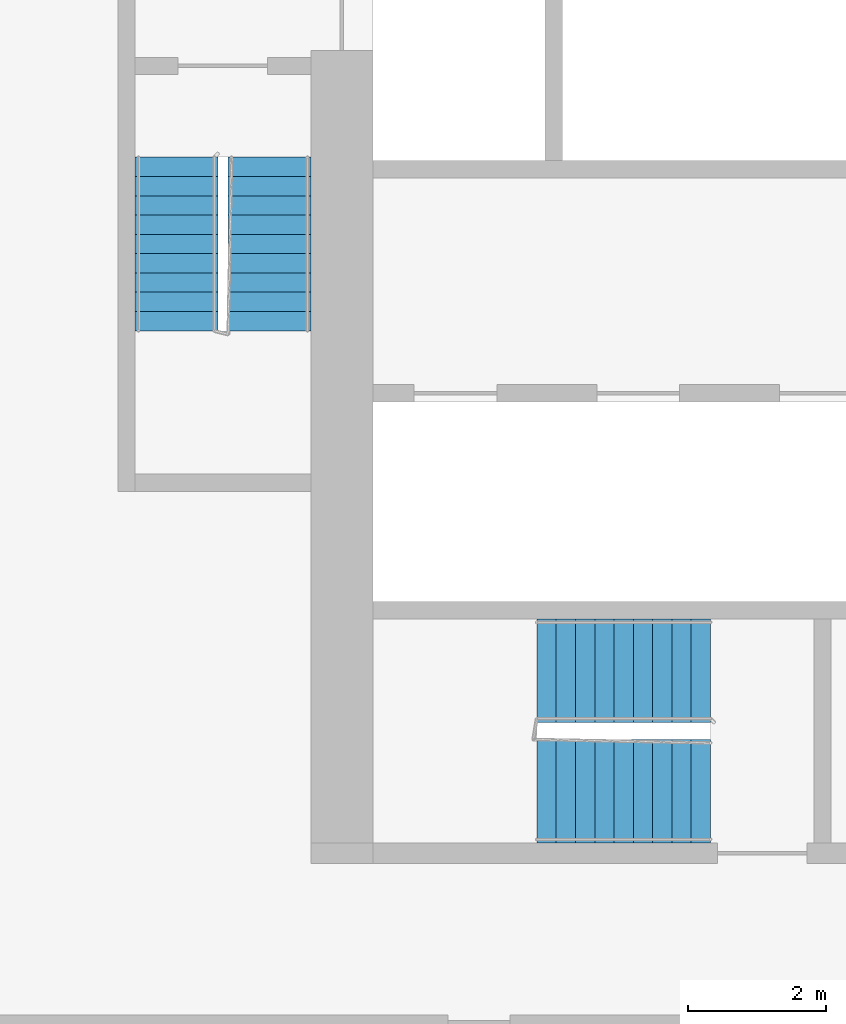
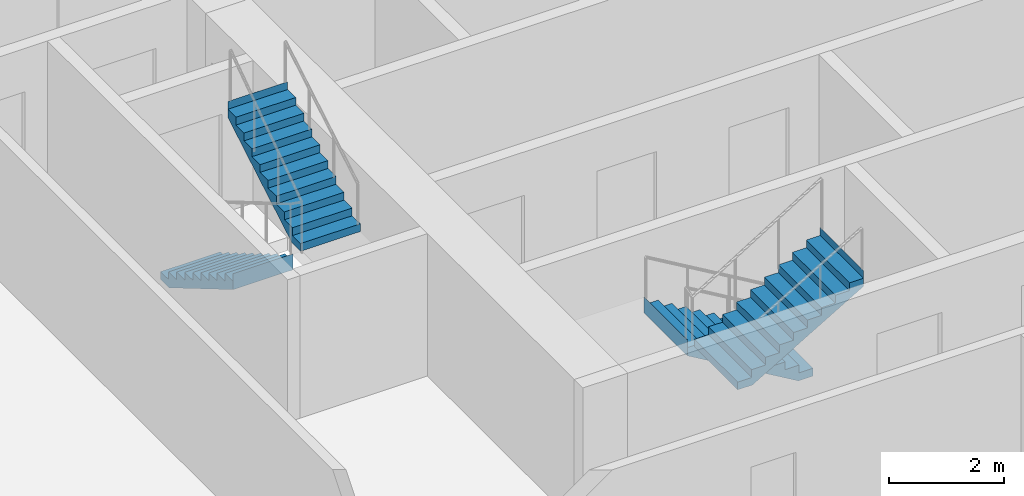
# One storey, part 9 of 13: 4 stair flights, 2 elements without a shape of their own.
"""IFC4 building model written with IfcOpenShell, lengths in metres."""

from ifc_helpers import new_model, si_unit, direction, frame, origin, place, context, subcontext, project, spatial, faceted_brep, material, type_object, element, aggregate, save


model = new_model("IFC4")

# Units and contexts
model_context = context("Model", 3, precision=1e-05, world=origin(), true_north=direction((0.0, 1.0)))
body_context = subcontext(model_context, "Body", "Model", "MODEL_VIEW")
ifc_project = project(units=[si_unit("LENGTHUNIT", "METRE"), si_unit("AREAUNIT", "SQUARE_METRE"), si_unit("VOLUMEUNIT", "CUBIC_METRE"), si_unit("PLANEANGLEUNIT", "RADIAN"), si_unit("MASSUNIT", "GRAM", prefix="KILO")], contexts=[model_context])

# Site, building, storey
site_placement = place(None, origin())
site = spatial("IfcSite", under=ifc_project, at=site_placement, CompositionType="ELEMENT")
building_placement = place(site_placement, origin())
building = spatial("IfcBuilding", under=site, at=building_placement, Name="Kajstack Hotel Tower", CompositionType="ELEMENT")
storey_placement = place(building_placement, frame((0.0, 0.0, 60.0)))
storey = spatial("IfcBuildingStorey", under=building, at=storey_placement, Name="L09", CompositionType="ELEMENT", Elevation=60.0)

# Stair, stair flights
ifc_material = material(Name="Concrete C40/50", Category="concrete")
stair_type_1 = type_object("IfcStairType", Name="Exit stair 1200", PredefinedType="HALF_TURN_STAIR", material=ifc_material)
stair_1_placement = place(storey_placement, origin())
stair_1 = element("IfcStair", 1, at=stair_1_placement, inside=storey, type_object=stair_type_1, Name="L09 stair W1", PredefinedType="HALF_TURN_STAIR")
stair_flight_type_1 = type_object("IfcStairFlightType", Name="Exit stair flight 1200", PredefinedType="STRAIGHT", material=ifc_material)
stair_flight_1_placement = place(storey_placement, frame((-33.449951171875, -5.25, 0.0), z_axis=(0.0, 0.0, 1.0), x_axis=(0.0, -1.0, 0.0)))
stair_flight_1 = element("IfcStairFlight", 2, at=stair_flight_1_placement, type_object=stair_flight_type_1, Name="W1 flight 1", NumberOfRisers=10, NumberOfTreads=9, PredefinedType="STRAIGHT", RiserHeight=0.165, TreadLength=0.28, context=body_context, shape_type="Brep", body=[
    faceted_brep([(0.295654296875, -0.60009765625, 0.0), (2.5205078125, -0.60009765625, 1.31103515625), (2.5205078125, -0.60009765625, 1.64990234375), (2.52001953125, -0.60009765625, 1.64990234375), (2.52001953125, -0.60009765625, 1.485107421875), (2.239990234375, -0.60009765625, 1.485107421875), (2.239990234375, -0.60009765625, 1.320068359375), (1.9599609375, -0.60009765625, 1.320068359375), (1.9599609375, -0.60009765625, 1.155029296875), (1.679931640625, -0.60009765625, 1.155029296875), (1.679931640625, -0.60009765625, 0.989990234375), (1.39990234375, -0.60009765625, 0.989990234375), (1.39990234375, -0.60009765625, 0.824951171875), (1.1201171875, -0.60009765625, 0.824951171875), (1.1201171875, -0.60009765625, 0.659912109375), (0.840087890625, -0.60009765625, 0.659912109375), (0.840087890625, -0.60009765625, 0.4951171875), (0.56005859375, -0.60009765625, 0.4951171875), (0.56005859375, -0.60009765625, 0.330078125), (0.280029296875, -0.60009765625, 0.330078125), (0.280029296875, -0.60009765625, 0.1650390625), (-0.00048828125, -0.60009765625, 0.1650390625), (-0.00048828125, -0.60009765625, 0.0), (-0.00048828125, 0.60009765625, 0.0), (-0.00048828125, 0.60009765625, 0.1650390625), (0.280029296875, 0.60009765625, 0.1650390625), (0.280029296875, 0.60009765625, 0.330078125), (0.56005859375, 0.60009765625, 0.330078125), (0.56005859375, 0.60009765625, 0.4951171875), (0.840087890625, 0.60009765625, 0.4951171875), (0.840087890625, 0.60009765625, 0.659912109375), (1.1201171875, 0.60009765625, 0.659912109375), (1.1201171875, 0.60009765625, 0.824951171875), (1.39990234375, 0.60009765625, 0.824951171875), (1.39990234375, 0.60009765625, 0.989990234375), (1.679931640625, 0.60009765625, 0.989990234375), (1.679931640625, 0.60009765625, 1.155029296875), (1.9599609375, 0.60009765625, 1.155029296875), (1.9599609375, 0.60009765625, 1.320068359375), (2.239990234375, 0.60009765625, 1.320068359375), (2.239990234375, 0.60009765625, 1.485107421875), (2.52001953125, 0.60009765625, 1.485107421875), (2.52001953125, 0.60009765625, 1.64990234375), (2.5205078125, 0.60009765625, 1.64990234375), (2.5205078125, 0.60009765625, 1.31103515625), (0.295654296875, 0.60009765625, 0.0), (-0.00048828125, -0.300048828125, 0.1650390625), (-0.00048828125, 0.0, 0.1650390625), (-0.00048828125, 0.300048828125, 0.1650390625), (-0.00048828125, 0.300048828125, 0.0), (-0.00048828125, 0.0, 0.0), (-0.00048828125, -0.300048828125, 0.0), (0.280029296875, -0.300048828125, 0.1650390625), (0.280029296875, 0.0, 0.1650390625), (0.280029296875, 0.300048828125, 0.1650390625), (0.280029296875, -0.300048828125, 0.330078125), (0.280029296875, 0.0, 0.330078125), (0.280029296875, 0.300048828125, 0.330078125), (0.56005859375, -0.300048828125, 0.330078125), (0.56005859375, 0.0, 0.330078125), (0.56005859375, 0.300048828125, 0.330078125), (0.56005859375, -0.300048828125, 0.4951171875), (0.56005859375, 0.0, 0.4951171875), (0.56005859375, 0.300048828125, 0.4951171875), (0.840087890625, -0.300048828125, 0.4951171875), (0.840087890625, 0.0, 0.4951171875), (0.840087890625, 0.300048828125, 0.4951171875), (0.840087890625, -0.300048828125, 0.659912109375), (0.840087890625, 0.0, 0.659912109375), (0.840087890625, 0.300048828125, 0.659912109375), (1.1201171875, -0.300048828125, 0.659912109375), (1.1201171875, 0.0, 0.659912109375), (1.1201171875, 0.300048828125, 0.659912109375), (1.1201171875, -0.300048828125, 0.824951171875), (1.1201171875, 0.0, 0.824951171875), (1.1201171875, 0.300048828125, 0.824951171875), (1.39990234375, -0.300048828125, 0.824951171875), (1.39990234375, 0.0, 0.824951171875), (1.39990234375, 0.300048828125, 0.824951171875), (1.39990234375, -0.300048828125, 0.989990234375), (1.39990234375, 0.0, 0.989990234375), (1.39990234375, 0.300048828125, 0.989990234375), (1.679931640625, -0.300048828125, 0.989990234375), (1.679931640625, 0.0, 0.989990234375), (1.679931640625, 0.300048828125, 0.989990234375), (1.679931640625, -0.300048828125, 1.155029296875), (1.679931640625, 0.0, 1.155029296875), (1.679931640625, 0.300048828125, 1.155029296875), (1.9599609375, -0.300048828125, 1.155029296875), (1.9599609375, 0.0, 1.155029296875), (1.9599609375, 0.300048828125, 1.155029296875), (1.9599609375, -0.300048828125, 1.320068359375), (1.9599609375, 0.0, 1.320068359375), (1.9599609375, 0.300048828125, 1.320068359375), (2.239990234375, -0.300048828125, 1.320068359375), (2.239990234375, 0.0, 1.320068359375), (2.239990234375, 0.300048828125, 1.320068359375), (2.239990234375, -0.300048828125, 1.485107421875), (2.239990234375, 0.0, 1.485107421875), (2.239990234375, 0.300048828125, 1.485107421875), (2.52001953125, -0.300048828125, 1.485107421875), (2.52001953125, 0.0, 1.485107421875), (2.52001953125, 0.300048828125, 1.485107421875), (2.52001953125, -0.300048828125, 1.64990234375), (2.52001953125, 0.0, 1.64990234375), (2.52001953125, 0.300048828125, 1.64990234375), (2.5205078125, -0.300048828125, 1.64990234375), (2.5205078125, 0.0, 1.64990234375), (2.5205078125, 0.300048828125, 1.64990234375), (2.5205078125, -0.300048828125, 1.31103515625), (2.5205078125, 0.0, 1.31103515625), (2.5205078125, 0.300048828125, 1.31103515625), (0.295654296875, -0.300048828125, 0.0), (0.295654296875, 0.0, 0.0), (0.295654296875, 0.300048828125, 0.0)], [[[0, 1, 2, 3, 4, 5, 6, 7, 8, 9, 10, 11, 12, 13, 14, 15, 16, 17, 18, 19, 20, 21, 22]], [[23, 24, 25, 26, 27, 28, 29, 30, 31, 32, 33, 34, 35, 36, 37, 38, 39, 40, 41, 42, 43, 44, 45]], [[21, 46, 47, 48, 24, 23, 49, 50, 51, 22]], [[20, 52, 53, 54, 25, 24, 48, 47, 46, 21]], [[19, 55, 56, 57, 26, 25, 54, 53, 52, 20]], [[18, 58, 59, 60, 27, 26, 57, 56, 55, 19]], [[17, 61, 62, 63, 28, 27, 60, 59, 58, 18]], [[16, 64, 65, 66, 29, 28, 63, 62, 61, 17]], [[15, 67, 68, 69, 30, 29, 66, 65, 64, 16]], [[14, 70, 71, 72, 31, 30, 69, 68, 67, 15]], [[13, 73, 74, 75, 32, 31, 72, 71, 70, 14]], [[12, 76, 77, 78, 33, 32, 75, 74, 73, 13]], [[11, 79, 80, 81, 34, 33, 78, 77, 76, 12]], [[10, 82, 83, 84, 35, 34, 81, 80, 79, 11]], [[9, 85, 86, 87, 36, 35, 84, 83, 82, 10]], [[8, 88, 89, 90, 37, 36, 87, 86, 85, 9]], [[7, 91, 92, 93, 38, 37, 90, 89, 88, 8]], [[6, 94, 95, 96, 39, 38, 93, 92, 91, 7]], [[5, 97, 98, 99, 40, 39, 96, 95, 94, 6]], [[4, 100, 101, 102, 41, 40, 99, 98, 97, 5]], [[3, 103, 104, 105, 42, 41, 102, 101, 100, 4]], [[2, 106, 107, 108, 43, 42, 105, 104, 103, 3]], [[1, 109, 110, 111, 44, 43, 108, 107, 106, 2]], [[0, 112, 113, 114, 45, 44, 111, 110, 109, 1]], [[22, 51, 50, 49, 23, 45, 114, 113, 112, 0]]]),
])
stair_flight_2_placement = place(storey_placement, frame((-32.10009765625, -7.77001953125, 1.64990234375), z_axis=(0.0, 0.0, 1.0), x_axis=(0.0, 1.0, 0.0)))
stair_flight_2 = element("IfcStairFlight", 3, at=stair_flight_2_placement, type_object=stair_flight_type_1, Name="W1 flight 2", NumberOfRisers=10, NumberOfTreads=9, PredefinedType="STRAIGHT", RiserHeight=0.165, TreadLength=0.28, context=body_context, shape_type="Brep", body=[
    faceted_brep([(0.295654296875, -0.60009765625, 0.0), (2.5205078125, -0.60009765625, 1.31103515625), (2.5205078125, -0.60009765625, 1.64990234375), (2.52001953125, -0.60009765625, 1.64990234375), (2.52001953125, -0.60009765625, 1.485107421875), (2.239990234375, -0.60009765625, 1.485107421875), (2.239990234375, -0.60009765625, 1.320068359375), (1.9599609375, -0.60009765625, 1.320068359375), (1.9599609375, -0.60009765625, 1.155029296875), (1.679931640625, -0.60009765625, 1.155029296875), (1.679931640625, -0.60009765625, 0.989990234375), (1.39990234375, -0.60009765625, 0.989990234375), (1.39990234375, -0.60009765625, 0.824951171875), (1.1201171875, -0.60009765625, 0.824951171875), (1.1201171875, -0.60009765625, 0.659912109375), (0.840087890625, -0.60009765625, 0.659912109375), (0.840087890625, -0.60009765625, 0.4951171875), (0.56005859375, -0.60009765625, 0.4951171875), (0.56005859375, -0.60009765625, 0.330078125), (0.280029296875, -0.60009765625, 0.330078125), (0.280029296875, -0.60009765625, 0.1650390625), (-0.00048828125, -0.60009765625, 0.1650390625), (-0.00048828125, -0.60009765625, 0.0), (-0.00048828125, 0.60009765625, 0.0), (-0.00048828125, 0.60009765625, 0.1650390625), (0.280029296875, 0.60009765625, 0.1650390625), (0.280029296875, 0.60009765625, 0.330078125), (0.56005859375, 0.60009765625, 0.330078125), (0.56005859375, 0.60009765625, 0.4951171875), (0.840087890625, 0.60009765625, 0.4951171875), (0.840087890625, 0.60009765625, 0.659912109375), (1.1201171875, 0.60009765625, 0.659912109375), (1.1201171875, 0.60009765625, 0.824951171875), (1.39990234375, 0.60009765625, 0.824951171875), (1.39990234375, 0.60009765625, 0.989990234375), (1.679931640625, 0.60009765625, 0.989990234375), (1.679931640625, 0.60009765625, 1.155029296875), (1.9599609375, 0.60009765625, 1.155029296875), (1.9599609375, 0.60009765625, 1.320068359375), (2.239990234375, 0.60009765625, 1.320068359375), (2.239990234375, 0.60009765625, 1.485107421875), (2.52001953125, 0.60009765625, 1.485107421875), (2.52001953125, 0.60009765625, 1.64990234375), (2.5205078125, 0.60009765625, 1.64990234375), (2.5205078125, 0.60009765625, 1.31103515625), (0.295654296875, 0.60009765625, 0.0), (-0.00048828125, -0.300048828125, 0.1650390625), (-0.00048828125, 0.0, 0.1650390625), (-0.00048828125, 0.300048828125, 0.1650390625), (-0.00048828125, 0.300048828125, 0.0), (-0.00048828125, 0.0, 0.0), (-0.00048828125, -0.300048828125, 0.0), (0.280029296875, -0.300048828125, 0.1650390625), (0.280029296875, 0.0, 0.1650390625), (0.280029296875, 0.300048828125, 0.1650390625), (0.280029296875, -0.300048828125, 0.330078125), (0.280029296875, 0.0, 0.330078125), (0.280029296875, 0.300048828125, 0.330078125), (0.56005859375, -0.300048828125, 0.330078125), (0.56005859375, 0.0, 0.330078125), (0.56005859375, 0.300048828125, 0.330078125), (0.56005859375, -0.300048828125, 0.4951171875), (0.56005859375, 0.0, 0.4951171875), (0.56005859375, 0.300048828125, 0.4951171875), (0.840087890625, -0.300048828125, 0.4951171875), (0.840087890625, 0.0, 0.4951171875), (0.840087890625, 0.300048828125, 0.4951171875), (0.840087890625, -0.300048828125, 0.659912109375), (0.840087890625, 0.0, 0.659912109375), (0.840087890625, 0.300048828125, 0.659912109375), (1.1201171875, -0.300048828125, 0.659912109375), (1.1201171875, 0.0, 0.659912109375), (1.1201171875, 0.300048828125, 0.659912109375), (1.1201171875, -0.300048828125, 0.824951171875), (1.1201171875, 0.0, 0.824951171875), (1.1201171875, 0.300048828125, 0.824951171875), (1.39990234375, -0.300048828125, 0.824951171875), (1.39990234375, 0.0, 0.824951171875), (1.39990234375, 0.300048828125, 0.824951171875), (1.39990234375, -0.300048828125, 0.989990234375), (1.39990234375, 0.0, 0.989990234375), (1.39990234375, 0.300048828125, 0.989990234375), (1.679931640625, -0.300048828125, 0.989990234375), (1.679931640625, 0.0, 0.989990234375), (1.679931640625, 0.300048828125, 0.989990234375), (1.679931640625, -0.300048828125, 1.155029296875), (1.679931640625, 0.0, 1.155029296875), (1.679931640625, 0.300048828125, 1.155029296875), (1.9599609375, -0.300048828125, 1.155029296875), (1.9599609375, 0.0, 1.155029296875), (1.9599609375, 0.300048828125, 1.155029296875), (1.9599609375, -0.300048828125, 1.320068359375), (1.9599609375, 0.0, 1.320068359375), (1.9599609375, 0.300048828125, 1.320068359375), (2.239990234375, -0.300048828125, 1.320068359375), (2.239990234375, 0.0, 1.320068359375), (2.239990234375, 0.300048828125, 1.320068359375), (2.239990234375, -0.300048828125, 1.485107421875), (2.239990234375, 0.0, 1.485107421875), (2.239990234375, 0.300048828125, 1.485107421875), (2.52001953125, -0.300048828125, 1.485107421875), (2.52001953125, 0.0, 1.485107421875), (2.52001953125, 0.300048828125, 1.485107421875), (2.52001953125, -0.300048828125, 1.64990234375), (2.52001953125, 0.0, 1.64990234375), (2.52001953125, 0.300048828125, 1.64990234375), (2.5205078125, -0.300048828125, 1.64990234375), (2.5205078125, 0.0, 1.64990234375), (2.5205078125, 0.300048828125, 1.64990234375), (2.5205078125, -0.300048828125, 1.31103515625), (2.5205078125, 0.0, 1.31103515625), (2.5205078125, 0.300048828125, 1.31103515625), (0.295654296875, -0.300048828125, 0.0), (0.295654296875, 0.0, 0.0), (0.295654296875, 0.300048828125, 0.0)], [[[0, 1, 2, 3, 4, 5, 6, 7, 8, 9, 10, 11, 12, 13, 14, 15, 16, 17, 18, 19, 20, 21, 22]], [[23, 24, 25, 26, 27, 28, 29, 30, 31, 32, 33, 34, 35, 36, 37, 38, 39, 40, 41, 42, 43, 44, 45]], [[21, 46, 47, 48, 24, 23, 49, 50, 51, 22]], [[20, 52, 53, 54, 25, 24, 48, 47, 46, 21]], [[19, 55, 56, 57, 26, 25, 54, 53, 52, 20]], [[18, 58, 59, 60, 27, 26, 57, 56, 55, 19]], [[17, 61, 62, 63, 28, 27, 60, 59, 58, 18]], [[16, 64, 65, 66, 29, 28, 63, 62, 61, 17]], [[15, 67, 68, 69, 30, 29, 66, 65, 64, 16]], [[14, 70, 71, 72, 31, 30, 69, 68, 67, 15]], [[13, 73, 74, 75, 32, 31, 72, 71, 70, 14]], [[12, 76, 77, 78, 33, 32, 75, 74, 73, 13]], [[11, 79, 80, 81, 34, 33, 78, 77, 76, 12]], [[10, 82, 83, 84, 35, 34, 81, 80, 79, 11]], [[9, 85, 86, 87, 36, 35, 84, 83, 82, 10]], [[8, 88, 89, 90, 37, 36, 87, 86, 85, 9]], [[7, 91, 92, 93, 38, 37, 90, 89, 88, 8]], [[6, 94, 95, 96, 39, 38, 93, 92, 91, 7]], [[5, 97, 98, 99, 40, 39, 96, 95, 94, 6]], [[4, 100, 101, 102, 41, 40, 99, 98, 97, 5]], [[3, 103, 104, 105, 42, 41, 102, 101, 100, 4]], [[2, 106, 107, 108, 43, 42, 105, 104, 103, 3]], [[1, 109, 110, 111, 44, 43, 108, 107, 106, 2]], [[0, 112, 113, 114, 45, 44, 111, 110, 109, 1]], [[22, 51, 50, 49, 23, 45, 114, 113, 112, 0]]]),
])
aggregate(stair_1, [stair_flight_1, stair_flight_2])

stair_type_2 = type_object("IfcStairType", Name="Exit stair 1500", PredefinedType="HALF_TURN_STAIR", material=ifc_material)
stair_2_placement = place(storey_placement, origin())
stair_2 = element("IfcStair", 4, at=stair_2_placement, inside=storey, type_object=stair_type_2, Name="L09 stair W3", PredefinedType="HALF_TURN_STAIR")
stair_flight_type_2 = type_object("IfcStairFlightType", Name="Exit stair flight 1500", PredefinedType="STRAIGHT", material=ifc_material)
stair_flight_3_placement = place(storey_placement, frame((-25.699951171875, -12.699951171875, 0.0), z_axis=(0.0, 0.0, 1.0), x_axis=(-1.0, 0.0, 0.0)))
stair_flight_3 = element("IfcStairFlight", 5, at=stair_flight_3_placement, type_object=stair_flight_type_2, Name="W3 flight 1", NumberOfRisers=10, NumberOfTreads=9, PredefinedType="STRAIGHT", RiserHeight=0.165, TreadLength=0.28, context=body_context, shape_type="Brep", body=[
    faceted_brep([(0.295654296875, -0.75, 0.0), (2.5205078125, -0.75, 1.31103515625), (2.5205078125, -0.75, 1.64990234375), (2.52001953125, -0.75, 1.64990234375), (2.52001953125, -0.75, 1.485107421875), (2.239990234375, -0.75, 1.485107421875), (2.239990234375, -0.75, 1.320068359375), (1.9599609375, -0.75, 1.320068359375), (1.9599609375, -0.75, 1.155029296875), (1.679931640625, -0.75, 1.155029296875), (1.679931640625, -0.75, 0.989990234375), (1.39990234375, -0.75, 0.989990234375), (1.39990234375, -0.75, 0.824951171875), (1.1201171875, -0.75, 0.824951171875), (1.1201171875, -0.75, 0.659912109375), (0.840087890625, -0.75, 0.659912109375), (0.840087890625, -0.75, 0.4951171875), (0.56005859375, -0.75, 0.4951171875), (0.56005859375, -0.75, 0.330078125), (0.280029296875, -0.75, 0.330078125), (0.280029296875, -0.75, 0.1650390625), (-0.00048828125, -0.75, 0.1650390625), (-0.00048828125, -0.75, 0.0), (-0.00048828125, 0.75, 0.0), (-0.00048828125, 0.75, 0.1650390625), (0.280029296875, 0.75, 0.1650390625), (0.280029296875, 0.75, 0.330078125), (0.56005859375, 0.75, 0.330078125), (0.56005859375, 0.75, 0.4951171875), (0.840087890625, 0.75, 0.4951171875), (0.840087890625, 0.75, 0.659912109375), (1.1201171875, 0.75, 0.659912109375), (1.1201171875, 0.75, 0.824951171875), (1.39990234375, 0.75, 0.824951171875), (1.39990234375, 0.75, 0.989990234375), (1.679931640625, 0.75, 0.989990234375), (1.679931640625, 0.75, 1.155029296875), (1.9599609375, 0.75, 1.155029296875), (1.9599609375, 0.75, 1.320068359375), (2.239990234375, 0.75, 1.320068359375), (2.239990234375, 0.75, 1.485107421875), (2.52001953125, 0.75, 1.485107421875), (2.52001953125, 0.75, 1.64990234375), (2.5205078125, 0.75, 1.64990234375), (2.5205078125, 0.75, 1.31103515625), (0.295654296875, 0.75, 0.0), (-0.00048828125, -0.375, 0.1650390625), (-0.00048828125, 0.0, 0.1650390625), (-0.00048828125, 0.375, 0.1650390625), (-0.00048828125, 0.375, 0.0), (-0.00048828125, 0.0, 0.0), (-0.00048828125, -0.375, 0.0), (0.280029296875, -0.375, 0.1650390625), (0.280029296875, 0.0, 0.1650390625), (0.280029296875, 0.375, 0.1650390625), (0.280029296875, -0.375, 0.330078125), (0.280029296875, 0.0, 0.330078125), (0.280029296875, 0.375, 0.330078125), (0.56005859375, -0.375, 0.330078125), (0.56005859375, 0.0, 0.330078125), (0.56005859375, 0.375, 0.330078125), (0.56005859375, -0.375, 0.4951171875), (0.56005859375, 0.0, 0.4951171875), (0.56005859375, 0.375, 0.4951171875), (0.840087890625, -0.375, 0.4951171875), (0.840087890625, 0.0, 0.4951171875), (0.840087890625, 0.375, 0.4951171875), (0.840087890625, -0.375, 0.659912109375), (0.840087890625, 0.0, 0.659912109375), (0.840087890625, 0.375, 0.659912109375), (1.1201171875, -0.375, 0.659912109375), (1.1201171875, 0.0, 0.659912109375), (1.1201171875, 0.375, 0.659912109375), (1.1201171875, -0.375, 0.824951171875), (1.1201171875, 0.0, 0.824951171875), (1.1201171875, 0.375, 0.824951171875), (1.39990234375, -0.375, 0.824951171875), (1.39990234375, 0.0, 0.824951171875), (1.39990234375, 0.375, 0.824951171875), (1.39990234375, -0.375, 0.989990234375), (1.39990234375, 0.0, 0.989990234375), (1.39990234375, 0.375, 0.989990234375), (1.679931640625, -0.375, 0.989990234375), (1.679931640625, 0.0, 0.989990234375), (1.679931640625, 0.375, 0.989990234375), (1.679931640625, -0.375, 1.155029296875), (1.679931640625, 0.0, 1.155029296875), (1.679931640625, 0.375, 1.155029296875), (1.9599609375, -0.375, 1.155029296875), (1.9599609375, 0.0, 1.155029296875), (1.9599609375, 0.375, 1.155029296875), (1.9599609375, -0.375, 1.320068359375), (1.9599609375, 0.0, 1.320068359375), (1.9599609375, 0.375, 1.320068359375), (2.239990234375, -0.375, 1.320068359375), (2.239990234375, 0.0, 1.320068359375), (2.239990234375, 0.375, 1.320068359375), (2.239990234375, -0.375, 1.485107421875), (2.239990234375, 0.0, 1.485107421875), (2.239990234375, 0.375, 1.485107421875), (2.52001953125, -0.375, 1.485107421875), (2.52001953125, 0.0, 1.485107421875), (2.52001953125, 0.375, 1.485107421875), (2.52001953125, -0.375, 1.64990234375), (2.52001953125, 0.0, 1.64990234375), (2.52001953125, 0.375, 1.64990234375), (2.5205078125, -0.375, 1.64990234375), (2.5205078125, 0.0, 1.64990234375), (2.5205078125, 0.375, 1.64990234375), (2.5205078125, -0.375, 1.31103515625), (2.5205078125, 0.0, 1.31103515625), (2.5205078125, 0.375, 1.31103515625), (0.295654296875, -0.375, 0.0), (0.295654296875, 0.0, 0.0), (0.295654296875, 0.375, 0.0)], [[[0, 1, 2, 3, 4, 5, 6, 7, 8, 9, 10, 11, 12, 13, 14, 15, 16, 17, 18, 19, 20, 21, 22]], [[23, 24, 25, 26, 27, 28, 29, 30, 31, 32, 33, 34, 35, 36, 37, 38, 39, 40, 41, 42, 43, 44, 45]], [[21, 46, 47, 48, 24, 23, 49, 50, 51, 22]], [[20, 52, 53, 54, 25, 24, 48, 47, 46, 21]], [[19, 55, 56, 57, 26, 25, 54, 53, 52, 20]], [[18, 58, 59, 60, 27, 26, 57, 56, 55, 19]], [[17, 61, 62, 63, 28, 27, 60, 59, 58, 18]], [[16, 64, 65, 66, 29, 28, 63, 62, 61, 17]], [[15, 67, 68, 69, 30, 29, 66, 65, 64, 16]], [[14, 70, 71, 72, 31, 30, 69, 68, 67, 15]], [[13, 73, 74, 75, 32, 31, 72, 71, 70, 14]], [[12, 76, 77, 78, 33, 32, 75, 74, 73, 13]], [[11, 79, 80, 81, 34, 33, 78, 77, 76, 12]], [[10, 82, 83, 84, 35, 34, 81, 80, 79, 11]], [[9, 85, 86, 87, 36, 35, 84, 83, 82, 10]], [[8, 88, 89, 90, 37, 36, 87, 86, 85, 9]], [[7, 91, 92, 93, 38, 37, 90, 89, 88, 8]], [[6, 94, 95, 96, 39, 38, 93, 92, 91, 7]], [[5, 97, 98, 99, 40, 39, 96, 95, 94, 6]], [[4, 100, 101, 102, 41, 40, 99, 98, 97, 5]], [[3, 103, 104, 105, 42, 41, 102, 101, 100, 4]], [[2, 106, 107, 108, 43, 42, 105, 104, 103, 3]], [[1, 109, 110, 111, 44, 43, 108, 107, 106, 2]], [[0, 112, 113, 114, 45, 44, 111, 110, 109, 1]], [[22, 51, 50, 49, 23, 45, 114, 113, 112, 0]]]),
])
stair_flight_4_placement = place(storey_placement, frame((-28.219970703125, -14.449951171875, 1.64990234375), z_axis=(0.0, 0.0, 1.0), x_axis=(1.0, 0.0, 0.0)))
stair_flight_4 = element("IfcStairFlight", 6, at=stair_flight_4_placement, type_object=stair_flight_type_2, Name="W3 flight 2", NumberOfRisers=10, NumberOfTreads=9, PredefinedType="STRAIGHT", RiserHeight=0.165, TreadLength=0.28, context=body_context, shape_type="Brep", body=[
    faceted_brep([(0.295654296875, -0.75, 0.0), (2.5205078125, -0.75, 1.31103515625), (2.5205078125, -0.75, 1.64990234375), (2.52001953125, -0.75, 1.64990234375), (2.52001953125, -0.75, 1.485107421875), (2.239990234375, -0.75, 1.485107421875), (2.239990234375, -0.75, 1.320068359375), (1.9599609375, -0.75, 1.320068359375), (1.9599609375, -0.75, 1.155029296875), (1.679931640625, -0.75, 1.155029296875), (1.679931640625, -0.75, 0.989990234375), (1.39990234375, -0.75, 0.989990234375), (1.39990234375, -0.75, 0.824951171875), (1.1201171875, -0.75, 0.824951171875), (1.1201171875, -0.75, 0.659912109375), (0.840087890625, -0.75, 0.659912109375), (0.840087890625, -0.75, 0.4951171875), (0.56005859375, -0.75, 0.4951171875), (0.56005859375, -0.75, 0.330078125), (0.280029296875, -0.75, 0.330078125), (0.280029296875, -0.75, 0.1650390625), (-0.00048828125, -0.75, 0.1650390625), (-0.00048828125, -0.75, 0.0), (-0.00048828125, 0.75, 0.0), (-0.00048828125, 0.75, 0.1650390625), (0.280029296875, 0.75, 0.1650390625), (0.280029296875, 0.75, 0.330078125), (0.56005859375, 0.75, 0.330078125), (0.56005859375, 0.75, 0.4951171875), (0.840087890625, 0.75, 0.4951171875), (0.840087890625, 0.75, 0.659912109375), (1.1201171875, 0.75, 0.659912109375), (1.1201171875, 0.75, 0.824951171875), (1.39990234375, 0.75, 0.824951171875), (1.39990234375, 0.75, 0.989990234375), (1.679931640625, 0.75, 0.989990234375), (1.679931640625, 0.75, 1.155029296875), (1.9599609375, 0.75, 1.155029296875), (1.9599609375, 0.75, 1.320068359375), (2.239990234375, 0.75, 1.320068359375), (2.239990234375, 0.75, 1.485107421875), (2.52001953125, 0.75, 1.485107421875), (2.52001953125, 0.75, 1.64990234375), (2.5205078125, 0.75, 1.64990234375), (2.5205078125, 0.75, 1.31103515625), (0.295654296875, 0.75, 0.0), (-0.00048828125, -0.375, 0.1650390625), (-0.00048828125, 0.0, 0.1650390625), (-0.00048828125, 0.375, 0.1650390625), (-0.00048828125, 0.375, 0.0), (-0.00048828125, 0.0, 0.0), (-0.00048828125, -0.375, 0.0), (0.280029296875, -0.375, 0.1650390625), (0.280029296875, 0.0, 0.1650390625), (0.280029296875, 0.375, 0.1650390625), (0.280029296875, -0.375, 0.330078125), (0.280029296875, 0.0, 0.330078125), (0.280029296875, 0.375, 0.330078125), (0.56005859375, -0.375, 0.330078125), (0.56005859375, 0.0, 0.330078125), (0.56005859375, 0.375, 0.330078125), (0.56005859375, -0.375, 0.4951171875), (0.56005859375, 0.0, 0.4951171875), (0.56005859375, 0.375, 0.4951171875), (0.840087890625, -0.375, 0.4951171875), (0.840087890625, 0.0, 0.4951171875), (0.840087890625, 0.375, 0.4951171875), (0.840087890625, -0.375, 0.659912109375), (0.840087890625, 0.0, 0.659912109375), (0.840087890625, 0.375, 0.659912109375), (1.1201171875, -0.375, 0.659912109375), (1.1201171875, 0.0, 0.659912109375), (1.1201171875, 0.375, 0.659912109375), (1.1201171875, -0.375, 0.824951171875), (1.1201171875, 0.0, 0.824951171875), (1.1201171875, 0.375, 0.824951171875), (1.39990234375, -0.375, 0.824951171875), (1.39990234375, 0.0, 0.824951171875), (1.39990234375, 0.375, 0.824951171875), (1.39990234375, -0.375, 0.989990234375), (1.39990234375, 0.0, 0.989990234375), (1.39990234375, 0.375, 0.989990234375), (1.679931640625, -0.375, 0.989990234375), (1.679931640625, 0.0, 0.989990234375), (1.679931640625, 0.375, 0.989990234375), (1.679931640625, -0.375, 1.155029296875), (1.679931640625, 0.0, 1.155029296875), (1.679931640625, 0.375, 1.155029296875), (1.9599609375, -0.375, 1.155029296875), (1.9599609375, 0.0, 1.155029296875), (1.9599609375, 0.375, 1.155029296875), (1.9599609375, -0.375, 1.320068359375), (1.9599609375, 0.0, 1.320068359375), (1.9599609375, 0.375, 1.320068359375), (2.239990234375, -0.375, 1.320068359375), (2.239990234375, 0.0, 1.320068359375), (2.239990234375, 0.375, 1.320068359375), (2.239990234375, -0.375, 1.485107421875), (2.239990234375, 0.0, 1.485107421875), (2.239990234375, 0.375, 1.485107421875), (2.52001953125, -0.375, 1.485107421875), (2.52001953125, 0.0, 1.485107421875), (2.52001953125, 0.375, 1.485107421875), (2.52001953125, -0.375, 1.64990234375), (2.52001953125, 0.0, 1.64990234375), (2.52001953125, 0.375, 1.64990234375), (2.5205078125, -0.375, 1.64990234375), (2.5205078125, 0.0, 1.64990234375), (2.5205078125, 0.375, 1.64990234375), (2.5205078125, -0.375, 1.31103515625), (2.5205078125, 0.0, 1.31103515625), (2.5205078125, 0.375, 1.31103515625), (0.295654296875, -0.375, 0.0), (0.295654296875, 0.0, 0.0), (0.295654296875, 0.375, 0.0)], [[[0, 1, 2, 3, 4, 5, 6, 7, 8, 9, 10, 11, 12, 13, 14, 15, 16, 17, 18, 19, 20, 21, 22]], [[23, 24, 25, 26, 27, 28, 29, 30, 31, 32, 33, 34, 35, 36, 37, 38, 39, 40, 41, 42, 43, 44, 45]], [[21, 46, 47, 48, 24, 23, 49, 50, 51, 22]], [[20, 52, 53, 54, 25, 24, 48, 47, 46, 21]], [[19, 55, 56, 57, 26, 25, 54, 53, 52, 20]], [[18, 58, 59, 60, 27, 26, 57, 56, 55, 19]], [[17, 61, 62, 63, 28, 27, 60, 59, 58, 18]], [[16, 64, 65, 66, 29, 28, 63, 62, 61, 17]], [[15, 67, 68, 69, 30, 29, 66, 65, 64, 16]], [[14, 70, 71, 72, 31, 30, 69, 68, 67, 15]], [[13, 73, 74, 75, 32, 31, 72, 71, 70, 14]], [[12, 76, 77, 78, 33, 32, 75, 74, 73, 13]], [[11, 79, 80, 81, 34, 33, 78, 77, 76, 12]], [[10, 82, 83, 84, 35, 34, 81, 80, 79, 11]], [[9, 85, 86, 87, 36, 35, 84, 83, 82, 10]], [[8, 88, 89, 90, 37, 36, 87, 86, 85, 9]], [[7, 91, 92, 93, 38, 37, 90, 89, 88, 8]], [[6, 94, 95, 96, 39, 38, 93, 92, 91, 7]], [[5, 97, 98, 99, 40, 39, 96, 95, 94, 6]], [[4, 100, 101, 102, 41, 40, 99, 98, 97, 5]], [[3, 103, 104, 105, 42, 41, 102, 101, 100, 4]], [[2, 106, 107, 108, 43, 42, 105, 104, 103, 3]], [[1, 109, 110, 111, 44, 43, 108, 107, 106, 2]], [[0, 112, 113, 114, 45, 44, 111, 110, 109, 1]], [[22, 51, 50, 49, 23, 45, 114, 113, 112, 0]]]),
])
aggregate(stair_2, [stair_flight_3, stair_flight_4])

save(model, "model.ifc")
